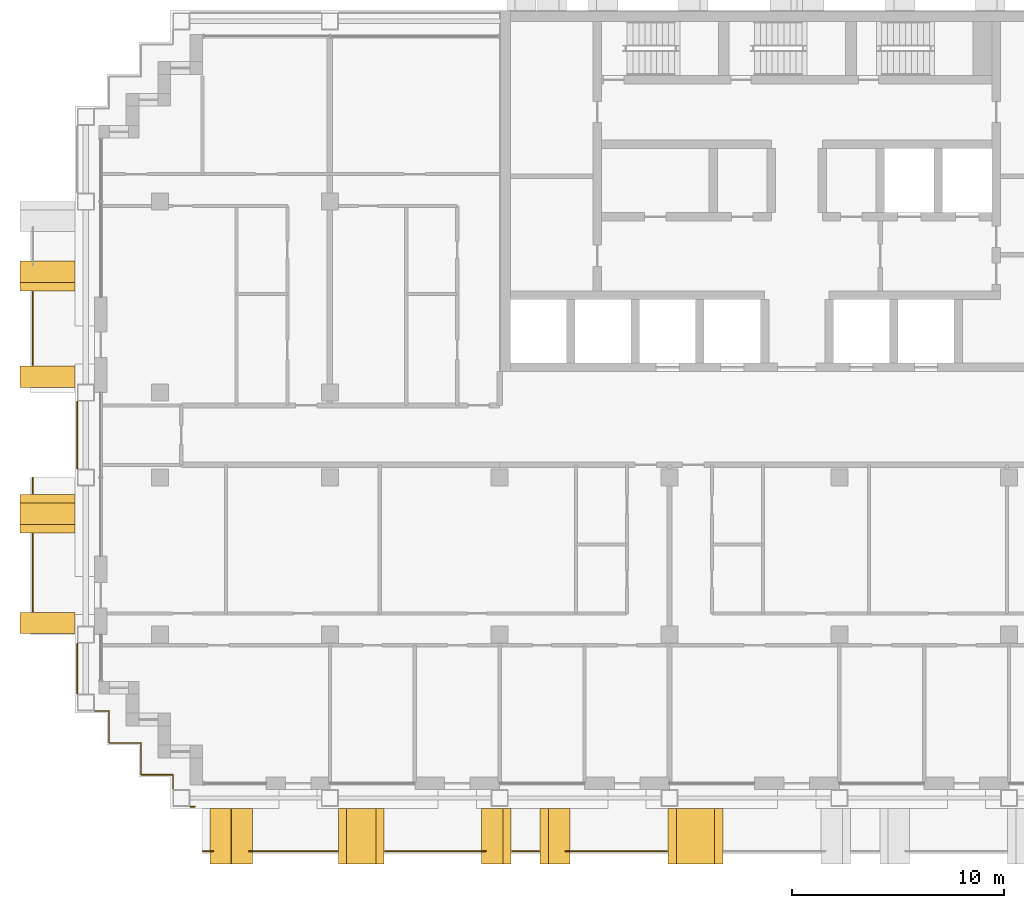
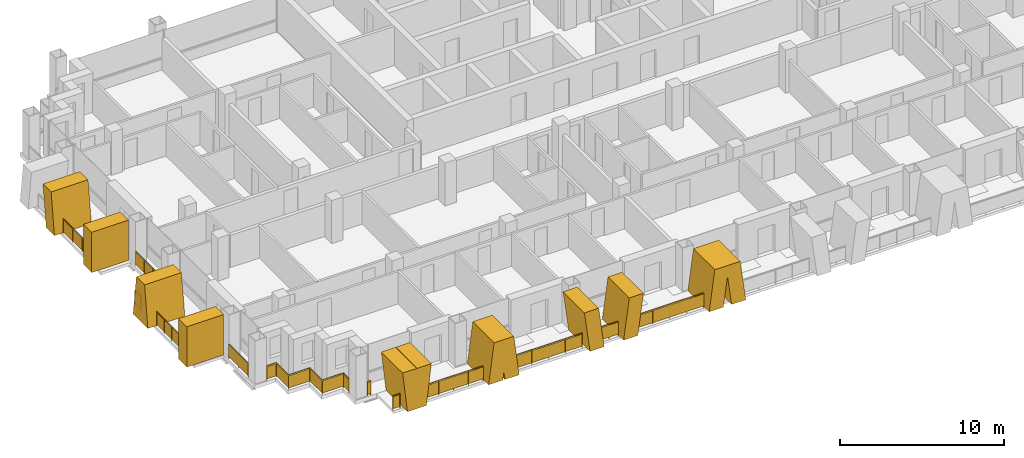
# One storey, part 13 of 16: 12 railings, 9 shading devices.
"""IFC4 building model written with IfcOpenShell, lengths in metres."""

from ifc_helpers import new_model, si_unit, direction, frame, origin, origin_2d, place, context, subcontext, project, spatial, polyline, rectangle, circle, outline, extrude, material, layer, layer_set, type_object, element, save


model = new_model("IFC4")

# Units and contexts
model_context = context("Model", 3, precision=1e-05, world=origin(), true_north=direction((0.0, 1.0)))
body_context = subcontext(model_context, "Body", "Model", "MODEL_VIEW")
ifc_project = project(units=[si_unit("LENGTHUNIT", "METRE"), si_unit("AREAUNIT", "SQUARE_METRE"), si_unit("VOLUMEUNIT", "CUBIC_METRE"), si_unit("PLANEANGLEUNIT", "RADIAN"), si_unit("MASSUNIT", "GRAM", prefix="KILO")], contexts=[model_context])

# Site, building, storey
site_placement = place(None, origin())
site = spatial("IfcSite", under=ifc_project, at=site_placement, CompositionType="ELEMENT")
building_placement = place(site_placement, origin())
building = spatial("IfcBuilding", under=site, at=building_placement, Name="Vidyagriha Tower", CompositionType="ELEMENT")
storey_placement = place(building_placement, frame((0.0, 0.0, 145.39990234375)))
storey = spatial("IfcBuildingStorey", under=building, at=storey_placement, Name="L38", CompositionType="ELEMENT", Elevation=145.39990234375)

# Railings
ifc_material_1 = material(Name="Steel ASTM A500 Grade C black painted", Category="steel")
railing_type_1 = type_object("IfcRailingType", Name="Balcony guard 1100", PredefinedType="BALUSTRADE", material=ifc_material_1)
railing_1_placement = place(storey_placement, frame((-36.0, 6.75, 0.0)))
element("IfcRailing", 1, at=railing_1_placement, inside=storey, type_object=railing_type_1, Name="Balcony guard L38 R16.1-2", PredefinedType="BALUSTRADE", context=body_context, shape_type="SweptSolid", body=[
    extrude(circle(Radius=0.02490234375, at=origin_2d()), frame((0.0, 0.0, 1.0751953125), z_axis=(0.0, -1.0, 0.0), x_axis=(1.0, 0.0, 0.0)), (0.0, 0.0, 1.0), 3.449951171875),
    extrude(circle(Radius=0.02001953125, at=origin_2d()), origin(), (0.0, 0.0, 1.0), 1.050048828125),
    extrude(circle(Radius=0.02001953125, at=origin_2d()), frame((0.0, -1.14990234375, 0.0)), (0.0, 0.0, 1.0), 1.050048828125),
    extrude(circle(Radius=0.02001953125, at=origin_2d()), frame((0.0, -2.300048828125, 0.0)), (0.0, 0.0, 1.0), 1.050048828125),
    extrude(circle(Radius=0.02001953125, at=origin_2d()), frame((0.0, -3.449951171875, 0.0)), (0.0, 0.0, 1.0), 1.050048828125),
    extrude(rectangle(XDim=0.010009765625, YDim=0.900146484375, at=origin_2d()), frame((0.0, 0.0, 0.550048828125), z_axis=(0.0, -1.0, 0.0), x_axis=(1.0, 0.0, 0.0)), (0.0, 0.0, 1.0), 3.449951171875),
])
railing_2_placement = place(storey_placement, frame((-36.0, -2.0, 0.0)))
element("IfcRailing", 2, at=railing_2_placement, inside=storey, type_object=railing_type_1, Name="Balcony guard L38 R16.2-1", PredefinedType="BALUSTRADE", context=body_context, shape_type="SweptSolid", body=[
    extrude(circle(Radius=0.02490234375, at=origin_2d()), frame((0.0, 0.0, 1.0751953125), z_axis=(0.0, -1.0, 0.0), x_axis=(1.0, 0.0, 0.0)), (0.0, 0.0, 1.0), 0.75),
    extrude(circle(Radius=0.02001953125, at=origin_2d()), origin(), (0.0, 0.0, 1.0), 1.050048828125),
    extrude(circle(Radius=0.02001953125, at=origin_2d()), frame((0.0, -0.75, 0.0)), (0.0, 0.0, 1.0), 1.050048828125),
    extrude(rectangle(XDim=0.010009765625, YDim=0.900146484375, at=origin_2d()), frame((0.0, 0.0, 0.550048828125), z_axis=(0.0, -1.0, 0.0), x_axis=(1.0, 0.0, 0.0)), (0.0, 0.0, 1.0), 0.75),
])
railing_3_placement = place(storey_placement, frame((-36.0, -4.64990234375, 0.0)))
element("IfcRailing", 3, at=railing_3_placement, inside=storey, type_object=railing_type_1, Name="Balcony guard L38 R16.2-2", PredefinedType="BALUSTRADE", context=body_context, shape_type="SweptSolid", body=[
    extrude(circle(Radius=0.02490234375, at=origin_2d()), frame((0.0, 0.0, 1.0751953125), z_axis=(0.0, -1.0, 0.0), x_axis=(1.0, 0.0, 0.0)), (0.0, 0.0, 1.0), 3.650146484375),
    extrude(circle(Radius=0.02001953125, at=origin_2d()), origin(), (0.0, 0.0, 1.0), 1.050048828125),
    extrude(circle(Radius=0.02001953125, at=origin_2d()), frame((0.0, -0.91259765625, 0.0)), (0.0, 0.0, 1.0), 1.050048828125),
    extrude(circle(Radius=0.02001953125, at=origin_2d()), frame((0.0, -1.8251953125, 0.0)), (0.0, 0.0, 1.0), 1.050048828125),
    extrude(circle(Radius=0.02001953125, at=origin_2d()), frame((0.0, -2.737548828125, 0.0)), (0.0, 0.0, 1.0), 1.050048828125),
    extrude(circle(Radius=0.02001953125, at=origin_2d()), frame((0.0, -3.650146484375, 0.0)), (0.0, 0.0, 1.0), 1.050048828125),
    extrude(rectangle(XDim=0.010009765625, YDim=0.900146484375, at=origin_2d()), frame((0.0, 0.0, 0.550048828125), z_axis=(0.0, -1.0, 0.0), x_axis=(1.0, 0.0, 0.0)), (0.0, 0.0, 1.0), 3.650146484375),
])
railing_4_placement = place(storey_placement, frame((-28.0, -19.60009765625, 0.0)))
element("IfcRailing", 4, at=railing_4_placement, inside=storey, type_object=railing_type_1, Name="Balcony guard L38 R23.1-1", PredefinedType="BALUSTRADE", context=body_context, shape_type="SweptSolid", body=[
    extrude(circle(Radius=0.02490234375, at=origin_2d()), frame((0.0, 0.0, 1.0751953125), z_axis=(1.0, 0.0, 0.0), x_axis=(0.0, 1.0, 0.0)), (0.0, 0.0, 1.0), 0.499755859375),
    extrude(circle(Radius=0.02001953125, at=origin_2d()), origin(), (0.0, 0.0, 1.0), 1.050048828125),
    extrude(circle(Radius=0.02001953125, at=origin_2d()), frame((0.499755859375, 0.0, 0.0)), (0.0, 0.0, 1.0), 1.050048828125),
    extrude(rectangle(XDim=0.010009765625, YDim=0.900146484375, at=origin_2d()), frame((0.0, 0.0, 0.550048828125), z_axis=(1.0, 0.0, 0.0), x_axis=(0.0, 1.0, 0.0)), (0.0, 0.0, 1.0), 0.499755859375),
])
railing_5_placement = place(storey_placement, frame((-25.799560546875, -19.60009765625, 0.0)))
element("IfcRailing", 5, at=railing_5_placement, inside=storey, type_object=railing_type_1, Name="Balcony guard L38 R23.1-2", PredefinedType="BALUSTRADE", context=body_context, shape_type="SweptSolid", body=[
    extrude(circle(Radius=0.02490234375, at=origin_2d()), frame((0.0, 0.0, 1.0751953125), z_axis=(1.0, 0.0, 0.0), x_axis=(0.0, 1.0, 0.0)), (0.0, 0.0, 1.0), 4.149658203125),
    extrude(circle(Radius=0.02001953125, at=origin_2d()), origin(), (0.0, 0.0, 1.0), 1.050048828125),
    extrude(circle(Radius=0.02001953125, at=origin_2d()), frame((1.037353515625, 0.0, 0.0)), (0.0, 0.0, 1.0), 1.050048828125),
    extrude(circle(Radius=0.02001953125, at=origin_2d()), frame((2.07470703125, 0.0, 0.0)), (0.0, 0.0, 1.0), 1.050048828125),
    extrude(circle(Radius=0.02001953125, at=origin_2d()), frame((3.1123046875, 0.0, 0.0)), (0.0, 0.0, 1.0), 1.050048828125),
    extrude(circle(Radius=0.02001953125, at=origin_2d()), frame((4.149658203125, 0.0, 0.0)), (0.0, 0.0, 1.0), 1.050048828125),
    extrude(rectangle(XDim=0.010009765625, YDim=0.900146484375, at=origin_2d()), frame((0.0, 0.0, 0.550048828125), z_axis=(1.0, 0.0, 0.0), x_axis=(0.0, 1.0, 0.0)), (0.0, 0.0, 1.0), 4.149658203125),
])
railing_6_placement = place(storey_placement, frame((-19.39990234375, -19.60009765625, 0.0)))
element("IfcRailing", 6, at=railing_6_placement, inside=storey, type_object=railing_type_1, Name="Balcony guard L38 R23.1-3", PredefinedType="BALUSTRADE", context=body_context, shape_type="SweptSolid", body=[
    extrude(circle(Radius=0.02490234375, at=origin_2d()), frame((0.0, 0.0, 1.0751953125), z_axis=(1.0, 0.0, 0.0), x_axis=(0.0, 1.0, 0.0)), (0.0, 0.0, 1.0), 4.738525390625),
    extrude(circle(Radius=0.02001953125, at=origin_2d()), origin(), (0.0, 0.0, 1.0), 1.050048828125),
    extrude(circle(Radius=0.02001953125, at=origin_2d()), frame((1.1845703125, 0.0, 0.0)), (0.0, 0.0, 1.0), 1.050048828125),
    extrude(circle(Radius=0.02001953125, at=origin_2d()), frame((2.369140625, 0.0, 0.0)), (0.0, 0.0, 1.0), 1.050048828125),
    extrude(circle(Radius=0.02001953125, at=origin_2d()), frame((3.553955078125, 0.0, 0.0)), (0.0, 0.0, 1.0), 1.050048828125),
    extrude(circle(Radius=0.02001953125, at=origin_2d()), frame((4.738525390625, 0.0, 0.0)), (0.0, 0.0, 1.0), 1.050048828125),
    extrude(rectangle(XDim=0.010009765625, YDim=0.900146484375, at=origin_2d()), frame((0.0, 0.0, 0.550048828125), z_axis=(1.0, 0.0, 0.0), x_axis=(0.0, 1.0, 0.0)), (0.0, 0.0, 1.0), 4.738525390625),
])
railing_7_placement = place(storey_placement, frame((-13.409912109375, -19.60009765625, 0.0)))
element("IfcRailing", 7, at=railing_7_placement, inside=storey, type_object=railing_type_1, Name="Balcony guard L38 R23.1-4", PredefinedType="BALUSTRADE", context=body_context, shape_type="SweptSolid", body=[
    extrude(circle(Radius=0.02490234375, at=origin_2d()), frame((0.0, 0.0, 1.0751953125), z_axis=(1.0, 0.0, 0.0), x_axis=(0.0, 1.0, 0.0)), (0.0, 0.0, 1.0), 1.27001953125),
    extrude(circle(Radius=0.02001953125, at=origin_2d()), origin(), (0.0, 0.0, 1.0), 1.050048828125),
    extrude(circle(Radius=0.02001953125, at=origin_2d()), frame((0.635009765625, 0.0, 0.0)), (0.0, 0.0, 1.0), 1.050048828125),
    extrude(circle(Radius=0.02001953125, at=origin_2d()), frame((1.27001953125, 0.0, 0.0)), (0.0, 0.0, 1.0), 1.050048828125),
    extrude(rectangle(XDim=0.010009765625, YDim=0.900146484375, at=origin_2d()), frame((0.0, 0.0, 0.550048828125), z_axis=(1.0, 0.0, 0.0), x_axis=(0.0, 1.0, 0.0)), (0.0, 0.0, 1.0), 1.27001953125),
])
railing_8_placement = place(storey_placement, frame((-10.888671875, -19.60009765625, 0.0)))
element("IfcRailing", 8, at=railing_8_placement, inside=storey, type_object=railing_type_1, Name="Balcony guard L38 R23.1-5", PredefinedType="BALUSTRADE", context=body_context, shape_type="SweptSolid", body=[
    extrude(circle(Radius=0.02490234375, at=origin_2d()), frame((0.0, 0.0, 1.0751953125), z_axis=(1.0, 0.0, 0.0), x_axis=(0.0, 1.0, 0.0)), (0.0, 0.0, 1.0), 4.773681640625),
    extrude(circle(Radius=0.02001953125, at=origin_2d()), origin(), (0.0, 0.0, 1.0), 1.050048828125),
    extrude(circle(Radius=0.02001953125, at=origin_2d()), frame((1.193359375, 0.0, 0.0)), (0.0, 0.0, 1.0), 1.050048828125),
    extrude(circle(Radius=0.02001953125, at=origin_2d()), frame((2.38671875, 0.0, 0.0)), (0.0, 0.0, 1.0), 1.050048828125),
    extrude(circle(Radius=0.02001953125, at=origin_2d()), frame((3.580322265625, 0.0, 0.0)), (0.0, 0.0, 1.0), 1.050048828125),
    extrude(circle(Radius=0.02001953125, at=origin_2d()), frame((4.773681640625, 0.0, 0.0)), (0.0, 0.0, 1.0), 1.050048828125),
    extrude(rectangle(XDim=0.010009765625, YDim=0.900146484375, at=origin_2d()), frame((0.0, 0.0, 0.550048828125), z_axis=(1.0, 0.0, 0.0), x_axis=(0.0, 1.0, 0.0)), (0.0, 0.0, 1.0), 4.773681640625),
])

# Shading devices
ifc_material_2 = material(Name="Precast concrete C40/50 with buff brick facing", Category="concrete")
ifc_layer_1 = layer(ifc_material_2, 1.0)
ifc_layer_set_1 = layer_set([ifc_layer_1], Name="Precast concrete C40/50 with buff brick facing")
shading_device_type_1 = type_object("IfcShadingDeviceType", Name="Brick-faced blade fin arm leaning 8 degrees", PredefinedType="USERDEFINED", material=ifc_layer_set_1)
shading_device_1_placement = place(storey_placement, frame((-35.300048828125, 8.199951171875, 0.0), z_axis=(0.0, 0.0, 1.0), x_axis=(0.0, -1.0, 0.0)))
element("IfcShadingDevice", 9, at=shading_device_1_placement, inside=storey, type_object=shading_device_type_1, Name="Leaning blade fin L38 R16.300a", ObjectType="BLADE FIN", PredefinedType="USERDEFINED", context=body_context, shape_type="SweptSolid", body=[
    extrude(outline(polyline([(0.39990234375, 0.0), (1.39990234375, 0.0), (1.0, 3.0), (0.0, 3.0), (0.39990234375, 0.0)])), frame((0.0, 1.300048828125, 0.0), z_axis=(0.0, -1.0, 0.0), x_axis=(1.0, 0.0, 0.0)), (0.0, 0.0, 1.0), 2.60009765625),
])
shading_device_2_placement = place(storey_placement, frame((-12.090087890625, -18.89990234375, 0.0)))
element("IfcShadingDevice", 10, at=shading_device_2_placement, inside=storey, type_object=shading_device_type_1, Name="Leaning blade fin L38 R23.1400a", ObjectType="BLADE FIN", PredefinedType="USERDEFINED", context=body_context, shape_type="SweptSolid", body=[
    extrude(outline(polyline([(0.0, 0.0), (1.0, 0.0), (1.39501953125, 3.0), (0.39501953125, 3.0), (0.0, 0.0)])), frame((0.0, 1.300048828125, 0.0), z_axis=(0.0, -1.0, 0.0), x_axis=(1.0, 0.0, 0.0)), (0.0, 0.0, 1.0), 2.60009765625),
])
shading_device_3_placement = place(storey_placement, frame((-14.85498046875, -18.89990234375, 0.0)))
element("IfcShadingDevice", 11, at=shading_device_3_placement, inside=storey, type_object=shading_device_type_1, Name="Leaning blade fin L38 R23.1400b", ObjectType="BLADE FIN", PredefinedType="USERDEFINED", context=body_context, shape_type="SweptSolid", body=[
    extrude(outline(polyline([(0.39501953125, 0.0), (1.39501953125, 0.0), (1.0, 3.0), (0.0, 3.0), (0.39501953125, 0.0)])), frame((0.0, 1.300048828125, 0.0), z_axis=(0.0, -1.0, 0.0), x_axis=(1.0, 0.0, 0.0)), (0.0, 0.0, 1.0), 2.60009765625),
])
ifc_material_3 = material(Name="Precast concrete C40/50 with buff brick facing", Category="concrete")
ifc_layer_2 = layer(ifc_material_3, 1.0)
ifc_layer_set_2 = layer_set([ifc_layer_2], Name="Precast concrete C40/50 with buff brick facing")
shading_device_type_2 = type_object("IfcShadingDeviceType", Name="Brick-faced blade fin forking 8 degrees", PredefinedType="USERDEFINED", material=ifc_layer_set_2)
shading_device_4_placement = place(storey_placement, frame((-35.300048828125, -2.800048828125, 0.0), z_axis=(0.0, 0.0, 1.0), x_axis=(0.0, -1.0, 0.0)))
element("IfcShadingDevice", 12, at=shading_device_4_placement, inside=storey, type_object=shading_device_type_2, Name="Forked blade fin L38 R16.1600a", ObjectType="BLADE FIN", PredefinedType="USERDEFINED", context=body_context, shape_type="SweptSolid", body=[
    extrude(outline(polyline([(0.0, 0.0), (1.800048828125, 0.0), (1.39990234375, 3.0), (0.39990234375, 3.0), (0.0, 0.0)])), frame((0.0, 1.300048828125, 0.0), z_axis=(0.0, -1.0, 0.0), x_axis=(1.0, 0.0, 0.0)), (0.0, 0.0, 1.0), 2.60009765625),
])
shading_device_5_placement = place(storey_placement, frame((-27.659912109375, -18.89990234375, 0.0)))
element("IfcShadingDevice", 13, at=shading_device_5_placement, inside=storey, type_object=shading_device_type_2, Name="Forked blade fin L38 R23.0a", ObjectType="BLADE FIN", PredefinedType="USERDEFINED", context=body_context, shape_type="SweptSolid", body=[
    extrude(outline(polyline([(0.340087890625, 0.0), (1.679931640625, 0.0), (2.02001953125, 3.0), (1.02001953125, 3.0), (1.010009765625, 2.911865234375), (1.0, 3.0), (0.0, 3.0), (0.340087890625, 0.0)])), frame((0.0, 1.300048828125, 0.0), z_axis=(0.0, -1.0, 0.0), x_axis=(1.0, 0.0, 0.0)), (0.0, 0.0, 1.0), 2.60009765625),
])
shading_device_6_placement = place(storey_placement, frame((-21.60009765625, -18.89990234375, 0.0)))
element("IfcShadingDevice", 14, at=shading_device_6_placement, inside=storey, type_object=shading_device_type_2, Name="Forked blade fin L38 R23.600a", ObjectType="BLADE FIN", PredefinedType="USERDEFINED", context=body_context, shape_type="SweptSolid", body=[
    extrude(outline(polyline([(1.0, 0.0), (1.074951171875, 0.587158203125), (1.14990234375, 0.0), (2.14990234375, 0.0), (1.7666015625, 3.0), (0.38330078125, 3.0), (0.0, 0.0), (1.0, 0.0)])), frame((0.0, 1.300048828125, 0.0), z_axis=(0.0, -1.0, 0.0), x_axis=(1.0, 0.0, 0.0)), (0.0, 0.0, 1.0), 2.60009765625),
])
shading_device_7_placement = place(storey_placement, frame((-6.06494140625, -18.89990234375, 0.0)))
element("IfcShadingDevice", 15, at=shading_device_7_placement, inside=storey, type_object=shading_device_type_2, Name="Forked blade fin L38 R23.2200a", ObjectType="BLADE FIN", PredefinedType="USERDEFINED", context=body_context, shape_type="SweptSolid", body=[
    extrude(outline(polyline([(1.0, 0.0), (1.2900390625, 2.20263671875), (1.580078125, 0.0), (2.580078125, 0.0), (2.18505859375, 3.0), (0.39501953125, 3.0), (0.0, 0.0), (1.0, 0.0)])), frame((0.0, 1.300048828125, 0.0), z_axis=(0.0, -1.0, 0.0), x_axis=(1.0, 0.0, 0.0)), (0.0, 0.0, 1.0), 2.60009765625),
])
ifc_material_4 = material(Name="Precast concrete C40/50 with buff brick facing", Category="concrete")
ifc_layer_3 = layer(ifc_material_4, 1.0)
ifc_layer_set_3 = layer_set([ifc_layer_3], Name="Precast concrete C40/50 with buff brick facing")
shading_device_type_3 = type_object("IfcShadingDeviceType", Name="Brick-faced blade fin stem 1000", PredefinedType="USERDEFINED", material=ifc_layer_set_3)
for number, where, z_axis, x_axis, name in (
    (16, (-35.300048828125, 3.25, 0.0), (0.0, 0.0, 1.0), (0.0, -1.0, 0.0), "Stem blade fin L38 R16.1200a"),
    (17, (-35.300048828125, -8.35009765625, 0.0), (0.0, 0.0, 1.0), (0.0, -1.0, 0.0), "Stem blade fin L38 R16.2340a"),
):
    element("IfcShadingDevice", number, at=place(storey_placement, frame(where, z_axis=z_axis, x_axis=x_axis)), inside=storey, type_object=shading_device_type_3, Name=name, ObjectType="BLADE FIN", PredefinedType="USERDEFINED", context=body_context, shape_type="SweptSolid", body=[
        extrude(outline(polyline([(0.0, 0.0), (1.0, 0.0), (1.0, 3.0), (0.0, 3.0), (0.0, 0.0)])), frame((0.0, 1.300048828125, 0.0), z_axis=(0.0, -1.0, 0.0), x_axis=(1.0, 0.0, 0.0)), (0.0, 0.0, 1.0), 2.60009765625),
    ])

# Railings
ifc_material_5 = material(Name="Steel ASTM A500 Grade C black painted", Category="steel")
railing_type_2 = type_object("IfcRailingType", Name="Gallery guard 1100", PredefinedType="GUARDRAIL", material=ifc_material_5)
railing_9_placement = place(storey_placement, frame((-33.89990234375, -12.169921875, 0.0)))
element("IfcRailing", 18, at=railing_9_placement, inside=storey, type_object=railing_type_2, Name="Gallery guard L38 1", PredefinedType="GUARDRAIL", context=body_context, shape_type="SweptSolid", body=[
    extrude(circle(Radius=0.02490234375, at=origin_2d()), frame((0.0, 0.0, 1.0751953125), z_axis=(0.0, 1.0, 0.0), x_axis=(-1.0, 0.0, 0.0)), (0.0, 0.0, 1.0), 2.33984375),
    extrude(circle(Radius=0.02001953125, at=origin_2d()), origin(), (0.0, 0.0, 1.0), 1.050048828125),
    extrude(circle(Radius=0.02001953125, at=origin_2d()), frame((0.0, 1.169921875, 0.0)), (0.0, 0.0, 1.0), 1.050048828125),
    extrude(circle(Radius=0.02001953125, at=origin_2d()), frame((0.0, 2.33984375, 0.0)), (0.0, 0.0, 1.0), 1.050048828125),
    extrude(rectangle(XDim=0.010009765625, YDim=0.900146484375, at=origin_2d()), frame((0.0, 0.0, 0.550048828125), z_axis=(0.0, 1.0, 0.0), x_axis=(-1.0, 0.0, 0.0)), (0.0, 0.0, 1.0), 2.33984375),
])
railing_10_placement = place(storey_placement, frame((-33.89990234375, -1.570068359375, 0.0)))
element("IfcRailing", 19, at=railing_10_placement, inside=storey, type_object=railing_type_2, Name="Gallery guard L38 2", PredefinedType="GUARDRAIL", context=body_context, shape_type="SweptSolid", body=[
    extrude(circle(Radius=0.02490234375, at=origin_2d()), frame((0.0, 0.0, 1.0751953125), z_axis=(0.0, 1.0, 0.0), x_axis=(-1.0, 0.0, 0.0)), (0.0, 0.0, 1.0), 3.14013671875),
    extrude(circle(Radius=0.02001953125, at=origin_2d()), origin(), (0.0, 0.0, 1.0), 1.050048828125),
    extrude(circle(Radius=0.02001953125, at=origin_2d()), frame((0.0, 1.046630859375, 0.0)), (0.0, 0.0, 1.0), 1.050048828125),
    extrude(circle(Radius=0.02001953125, at=origin_2d()), frame((0.0, 2.093505859375, 0.0)), (0.0, 0.0, 1.0), 1.050048828125),
    extrude(circle(Radius=0.02001953125, at=origin_2d()), frame((0.0, 3.14013671875, 0.0)), (0.0, 0.0, 1.0), 1.050048828125),
    extrude(rectangle(XDim=0.010009765625, YDim=0.900146484375, at=origin_2d()), frame((0.0, 0.0, 0.550048828125), z_axis=(0.0, 1.0, 0.0), x_axis=(-1.0, 0.0, 0.0)), (0.0, 0.0, 1.0), 3.14013671875),
])
railing_11_placement = place(storey_placement, frame((-29.39990234375, -16.669921875, 0.0)))
element("IfcRailing", 20, at=railing_11_placement, inside=storey, type_object=railing_type_2, Name="Gallery guard L38 4", PredefinedType="GUARDRAIL", context=body_context, shape_type="SweptSolid", body=[
    extrude(circle(Radius=0.02490234375, at=origin_2d()), frame((0.0, 0.0, 1.0751953125), z_axis=(0.0, 1.0, 0.0), x_axis=(-1.0, 0.0, 0.0)), (0.0, 0.0, 1.0), 0.669921875),
    extrude(circle(Radius=0.02490234375, at=origin_2d()), frame((0.0, 0.669921875, 1.0751953125), z_axis=(-1.0, 0.0, 0.0), x_axis=(0.0, -1.0, 0.0)), (0.0, 0.0, 1.0), 1.5),
    extrude(circle(Radius=0.02490234375, at=origin_2d()), frame((-1.5, 0.669921875, 1.0751953125), z_axis=(0.0, 1.0, 0.0), x_axis=(-1.0, 0.0, 0.0)), (0.0, 0.0, 1.0), 1.5),
    extrude(circle(Radius=0.02490234375, at=origin_2d()), frame((-1.5, 2.169921875, 1.0751953125), z_axis=(-1.0, 0.0, 0.0), x_axis=(0.0, -1.0, 0.0)), (0.0, 0.0, 1.0), 1.5),
    extrude(circle(Radius=0.02490234375, at=origin_2d()), frame((-3.0, 2.169921875, 1.0751953125), z_axis=(0.0, 1.0, 0.0), x_axis=(-1.0, 0.0, 0.0)), (0.0, 0.0, 1.0), 1.5),
    extrude(circle(Radius=0.02490234375, at=origin_2d()), frame((-3.0, 3.669921875, 1.0751953125), z_axis=(-1.0, 0.0, 0.0), x_axis=(0.0, -1.0, 0.0)), (0.0, 0.0, 1.0), 0.670166015625),
    extrude(circle(Radius=0.02001953125, at=origin_2d()), origin(), (0.0, 0.0, 1.0), 1.050048828125),
    extrude(circle(Radius=0.02001953125, at=origin_2d()), frame((0.0, 0.669921875, 0.0)), (0.0, 0.0, 1.0), 1.050048828125),
    extrude(circle(Radius=0.02001953125, at=origin_2d()), frame((-1.5, 0.669921875, 0.0)), (0.0, 0.0, 1.0), 1.050048828125),
    extrude(circle(Radius=0.02001953125, at=origin_2d()), frame((-1.5, 2.169921875, 0.0)), (0.0, 0.0, 1.0), 1.050048828125),
    extrude(circle(Radius=0.02001953125, at=origin_2d()), frame((-3.0, 2.169921875, 0.0)), (0.0, 0.0, 1.0), 1.050048828125),
    extrude(circle(Radius=0.02001953125, at=origin_2d()), frame((-3.0, 3.669921875, 0.0)), (0.0, 0.0, 1.0), 1.050048828125),
    extrude(circle(Radius=0.02001953125, at=origin_2d()), frame((-3.670166015625, 3.669921875, 0.0)), (0.0, 0.0, 1.0), 1.050048828125),
    extrude(rectangle(XDim=0.010009765625, YDim=0.900146484375, at=origin_2d()), frame((0.0, 0.0, 0.550048828125), z_axis=(0.0, 1.0, 0.0), x_axis=(-1.0, 0.0, 0.0)), (0.0, 0.0, 1.0), 0.669921875),
    extrude(rectangle(XDim=0.010009765625, YDim=0.900146484375, at=origin_2d()), frame((0.0, 0.669921875, 0.550048828125), z_axis=(-1.0, 0.0, 0.0), x_axis=(0.0, -1.0, 0.0)), (0.0, 0.0, 1.0), 1.5),
    extrude(rectangle(XDim=0.010009765625, YDim=0.900146484375, at=origin_2d()), frame((-1.5, 0.669921875, 0.550048828125), z_axis=(0.0, 1.0, 0.0), x_axis=(-1.0, 0.0, 0.0)), (0.0, 0.0, 1.0), 1.5),
    extrude(rectangle(XDim=0.010009765625, YDim=0.900146484375, at=origin_2d()), frame((-1.5, 2.169921875, 0.550048828125), z_axis=(-1.0, 0.0, 0.0), x_axis=(0.0, -1.0, 0.0)), (0.0, 0.0, 1.0), 1.5),
    extrude(rectangle(XDim=0.010009765625, YDim=0.900146484375, at=origin_2d()), frame((-3.0, 2.169921875, 0.550048828125), z_axis=(0.0, 1.0, 0.0), x_axis=(-1.0, 0.0, 0.0)), (0.0, 0.0, 1.0), 1.5),
    extrude(rectangle(XDim=0.010009765625, YDim=0.900146484375, at=origin_2d()), frame((-3.0, 3.669921875, 0.550048828125), z_axis=(-1.0, 0.0, 0.0), x_axis=(0.0, -1.0, 0.0)), (0.0, 0.0, 1.0), 0.670166015625),
])
railing_12_placement = place(storey_placement, frame((-28.360107421875, -17.5, 0.0)))
element("IfcRailing", 21, at=railing_12_placement, inside=storey, type_object=railing_type_2, Name="Gallery guard L38 6", PredefinedType="GUARDRAIL", context=body_context, shape_type="SweptSolid", body=[
    extrude(circle(Radius=0.02490234375, at=origin_2d()), frame((0.0, 0.0, 1.0751953125), z_axis=(-1.0, 0.0, 0.0), x_axis=(0.0, -1.0, 0.0)), (0.0, 0.0, 1.0), 0.2099609375),
    extrude(circle(Radius=0.02001953125, at=origin_2d()), origin(), (0.0, 0.0, 1.0), 1.050048828125),
    extrude(circle(Radius=0.02001953125, at=origin_2d()), frame((-0.2099609375, 0.0, 0.0)), (0.0, 0.0, 1.0), 1.050048828125),
    extrude(rectangle(XDim=0.010009765625, YDim=0.900146484375, at=origin_2d()), frame((0.0, 0.0, 0.550048828125), z_axis=(-1.0, 0.0, 0.0), x_axis=(0.0, -1.0, 0.0)), (0.0, 0.0, 1.0), 0.2099609375),
])

save(model, "model.ifc")
